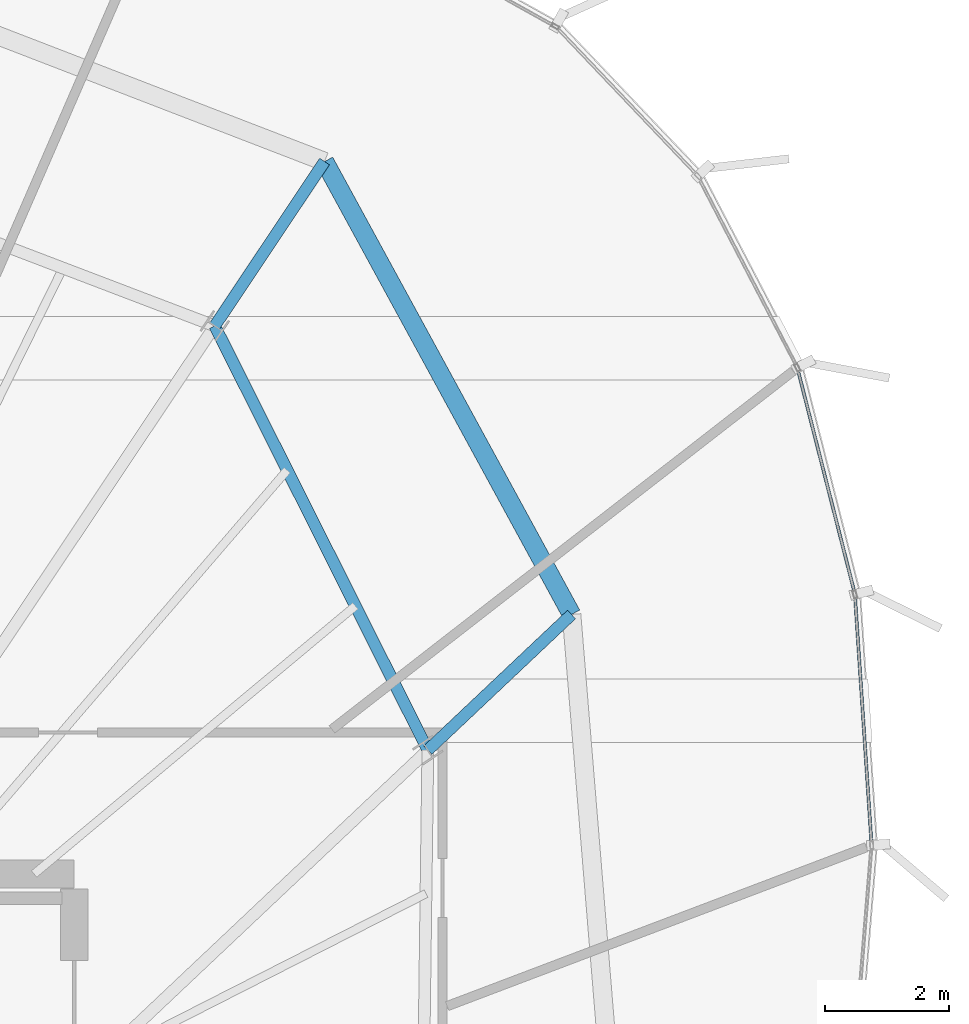
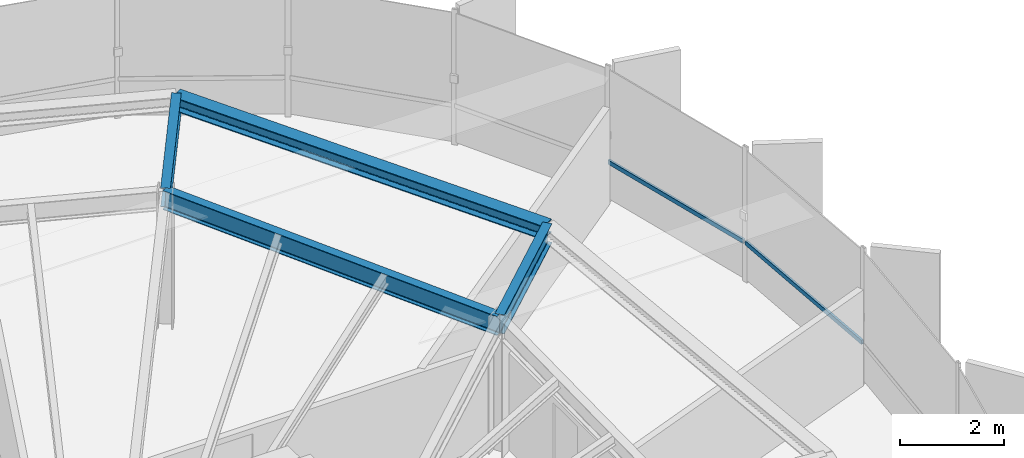
# One storey, part 25 of 35: 4 beams, 2 members, 1 element without a shape of its own.
"""IFC4 building model written with IfcOpenShell, lengths in metres."""

from ifc_helpers import new_model, si_unit, direction, frame, origin, origin_2d, place, context, subcontext, project, spatial, hollow_rectangle, i_section, extrude, source, transform, mapped, material, layer, layer_set, material_profile, profile_set, type_object, element, aggregate, save


model = new_model("IFC4")

# Units and contexts
model_context = context("Model", 3, precision=1e-05, world=origin(), true_north=direction((0.0, 1.0)))
body_context = subcontext(model_context, "Body", "Model", "MODEL_VIEW")
ifc_project = project(units=[si_unit("LENGTHUNIT", "METRE"), si_unit("AREAUNIT", "SQUARE_METRE"), si_unit("VOLUMEUNIT", "CUBIC_METRE"), si_unit("PLANEANGLEUNIT", "RADIAN"), si_unit("MASSUNIT", "GRAM", prefix="KILO"), si_unit("THERMODYNAMICTEMPERATUREUNIT", "KELVIN")], contexts=[model_context])

# Site, building, storey
site_placement = place(None, origin())
site = spatial("IfcSite", under=ifc_project, at=site_placement, CompositionType="ELEMENT")
building_placement = place(site_placement, origin())
building = spatial("IfcBuilding", under=site, at=building_placement, Name="Kethvar Cultural Tower", CompositionType="ELEMENT")
storey_placement = place(building_placement, frame((0.0, 0.0, 245.64990234375)))
storey = spatial("IfcBuildingStorey", under=building, at=storey_placement, Name="L64", CompositionType="ELEMENT", Elevation=245.64990234375)

# Beams
ifc_material_1 = material(Name="Steel S355J2", Category="steel")
ifc_material_profile_1 = material_profile(ifc_material_1, i_section(OverallWidth=0.18994140625, OverallDepth=0.449951171875, WebThickness=0.009521484375, FlangeThickness=0.0146484375, FilletRadius=0.02099609375, at=origin_2d()), Name="Steel S355J2 — IPE450")
ifc_profile_set_1 = profile_set([ifc_material_profile_1], Name="Steel S355J2 — IPE450")
beam_type_1 = type_object("IfcBeamType", Name="BM-IPE450", PredefinedType="BEAM", material=ifc_profile_set_1)
shared_shape_1 = source(origin(), body_context, "Body", "SweptSolid", [
    extrude(i_section(OverallWidth=0.18994140625, OverallDepth=0.449951171875, WebThickness=0.009521484375, FlangeThickness=0.0146484375, FilletRadius=0.02099609375, at=origin_2d()), origin(), (0.0, 0.0, 1.0), 3.199951171875),
])
beam_1_placement = place(storey_placement, frame((61.32568359375, 37.505859375, 2.983154296875), z_axis=(0.727146433404, 0.686482384616, 0.0), x_axis=(-0.686482384616, 0.727146433404, 0.0)))
element("IfcBeam", 1, at=beam_1_placement, inside=storey, type_object=beam_type_1, Name="L64 Perimeter Cantilever Beam RC-02", PredefinedType="BEAM", context=body_context, shape_type="MappedRepresentation", body=[
    mapped(shared_shape_1, transform((0.0, 0.0, 0.0), scale=1.0)),
])
shared_shape_2 = source(origin(), body_context, "Body", "SweptSolid", [
    extrude(i_section(OverallWidth=0.18994140625, OverallDepth=0.449951171875, WebThickness=0.009521484375, FlangeThickness=0.0146484375, FilletRadius=0.02099609375, at=origin_2d()), origin(), (0.0, 0.0, 1.0), 3.2001953125),
])
beam_2_placement = place(storey_placement, frame((57.875244140625, 44.375, 2.983154296875), z_axis=(0.555544970406, 0.831486491686, 0.0), x_axis=(-0.831486491686, 0.555544970406, 0.0)))
element("IfcBeam", 2, at=beam_2_placement, inside=storey, type_object=beam_type_1, Name="L64 Perimeter Cantilever Beam RC-03", PredefinedType="BEAM", context=body_context, shape_type="MappedRepresentation", body=[
    mapped(shared_shape_2, transform((0.0, 0.0, 0.0), scale=1.0)),
])
shared_shape_3 = source(origin(), body_context, "Body", "SweptSolid", [
    extrude(i_section(OverallWidth=0.18994140625, OverallDepth=0.449951171875, WebThickness=0.009521484375, FlangeThickness=0.0146484375, FilletRadius=0.02099609375, at=origin_2d()), origin(), (0.0, 0.0, 1.0), 7.68701171875),
])
beam_3_placement = place(storey_placement, frame((61.32568359375, 37.505859375, 2.983154296875), z_axis=(-0.448864354142, 0.893599905763, 0.0), x_axis=(-0.893599905763, -0.448864354142, 0.0)))
element("IfcBeam", 3, at=beam_3_placement, inside=storey, type_object=beam_type_1, Name="L64 Column Ring Tie Beam CR-02", PredefinedType="BEAM", context=body_context, shape_type="MappedRepresentation", body=[
    mapped(shared_shape_3, transform((0.0, 0.0, 0.0), scale=1.0)),
])
ifc_material_profile_2 = material_profile(ifc_material_1, i_section(OverallWidth=0.300048828125, OverallDepth=0.320068359375, WebThickness=0.011474609375, FlangeThickness=0.0205078125, FilletRadius=0.027099609375, at=origin_2d()), Name="Steel S355J2 — HEB320")
ifc_profile_set_2 = profile_set([ifc_material_profile_2], Name="Steel S355J2 — HEB320")
beam_type_2 = type_object("IfcBeamType", Name="BM-SP320", PredefinedType="SPANDREL", material=ifc_profile_set_2)
shared_shape_4 = source(origin(), body_context, "Body", "SweptSolid", [
    extrude(i_section(OverallWidth=0.300048828125, OverallDepth=0.320068359375, WebThickness=0.011474609375, FlangeThickness=0.0205078125, FilletRadius=0.027099609375, at=origin_2d()), origin(), (0.0, 0.0, 1.0), 8.35302734375),
])
beam_4_placement = place(storey_placement, frame((63.652587890625, 39.70263671875, 3.048095703125), z_axis=(-0.478811173891, 0.877917911742, 0.0), x_axis=(-0.877917911742, -0.478811173891, 0.0)))
element("IfcBeam", 4, at=beam_4_placement, inside=storey, type_object=beam_type_2, Name="L64 Perimeter Spandrel Beam SP-02", PredefinedType="SPANDREL", context=body_context, shape_type="MappedRepresentation", body=[
    mapped(shared_shape_4, transform((0.0, 0.0, 0.0), scale=1.0)),
])

# Curtain wall, members
ifc_material_2 = material(Name="Aluminium 6063-T6", Category="aluminium")
ifc_layer = layer(ifc_material_2, 0.179931640625, Name="Aluminium 6063-T6", Category="aluminium")
ifc_layer_set = layer_set([ifc_layer], Name="Aluminium 6063-T6 (180 mm)")
curtain_wall_type = type_object("IfcCurtainWallType", Name="CW-SYS-05-Z56", PredefinedType="NOTDEFINED", material=ifc_layer_set)
curtain_wall_placement = place(storey_placement, origin())
curtain_wall = element("IfcCurtainWall", 5, at=curtain_wall_placement, inside=storey, type_object=curtain_wall_type, Name="L64 Curtain Wall Run 06", PredefinedType="NOTDEFINED")
ifc_material_profile_3 = material_profile(ifc_material_2, hollow_rectangle(XDim=0.050048828125, YDim=0.10009765625, WallThickness=0.00390625, at=origin_2d()), Name="Aluminium 6063-T6 — RHS100x50x4")
ifc_profile_set_3 = profile_set([ifc_material_profile_3], Name="Aluminium 6063-T6 — RHS100x50x4")
member_type = type_object("IfcMemberType", Name="CW-SYS-05-Z56-TRN", PredefinedType="USERDEFINED", material=ifc_profile_set_3)
shared_shape_5 = source(origin(), body_context, "Body", "SweptSolid", [
    extrude(hollow_rectangle(XDim=0.050048828125, YDim=0.10009765625, WallThickness=0.00390625, at=origin_2d()), origin(), (0.0, 0.0, 1.0), 4.009521484375),
])
member_1_placement = place(storey_placement, frame((68.5087890625, 36.006103515625, 0.9501953125), z_axis=(-0.066551340768, 0.997783001981, 0.0), x_axis=(-0.997783001981, -0.066551340768, 0.0)))
member_1 = element("IfcMember", 6, at=member_1_placement, type_object=member_type, Name="CW-L64-R06 Transom 3", ObjectType="TRANSOM", PredefinedType="USERDEFINED", context=body_context, shape_type="MappedRepresentation", body=[
    mapped(shared_shape_5, transform((0.0, 0.0, 0.0), scale=1.0)),
])
shared_shape_6 = source(origin(), body_context, "Body", "SweptSolid", [
    extrude(hollow_rectangle(XDim=0.050048828125, YDim=0.10009765625, WallThickness=0.00390625, at=origin_2d()), origin(), (0.0, 0.0, 1.0), 3.72998046875),
])
member_2_placement = place(storey_placement, frame((68.232421875, 40.066650390625, 0.9501953125), z_axis=(-0.246568629551, 0.969125332927, 0.0), x_axis=(-0.969125332927, -0.246568629551, 0.0)))
member_2 = element("IfcMember", 7, at=member_2_placement, type_object=member_type, Name="CW-L64-R06 Transom 4", ObjectType="TRANSOM", PredefinedType="USERDEFINED", context=body_context, shape_type="MappedRepresentation", body=[
    mapped(shared_shape_6, transform((0.0, 0.0, 0.0), scale=1.0)),
])
aggregate(curtain_wall, [member_1, member_2])

save(model, "model.ifc")
